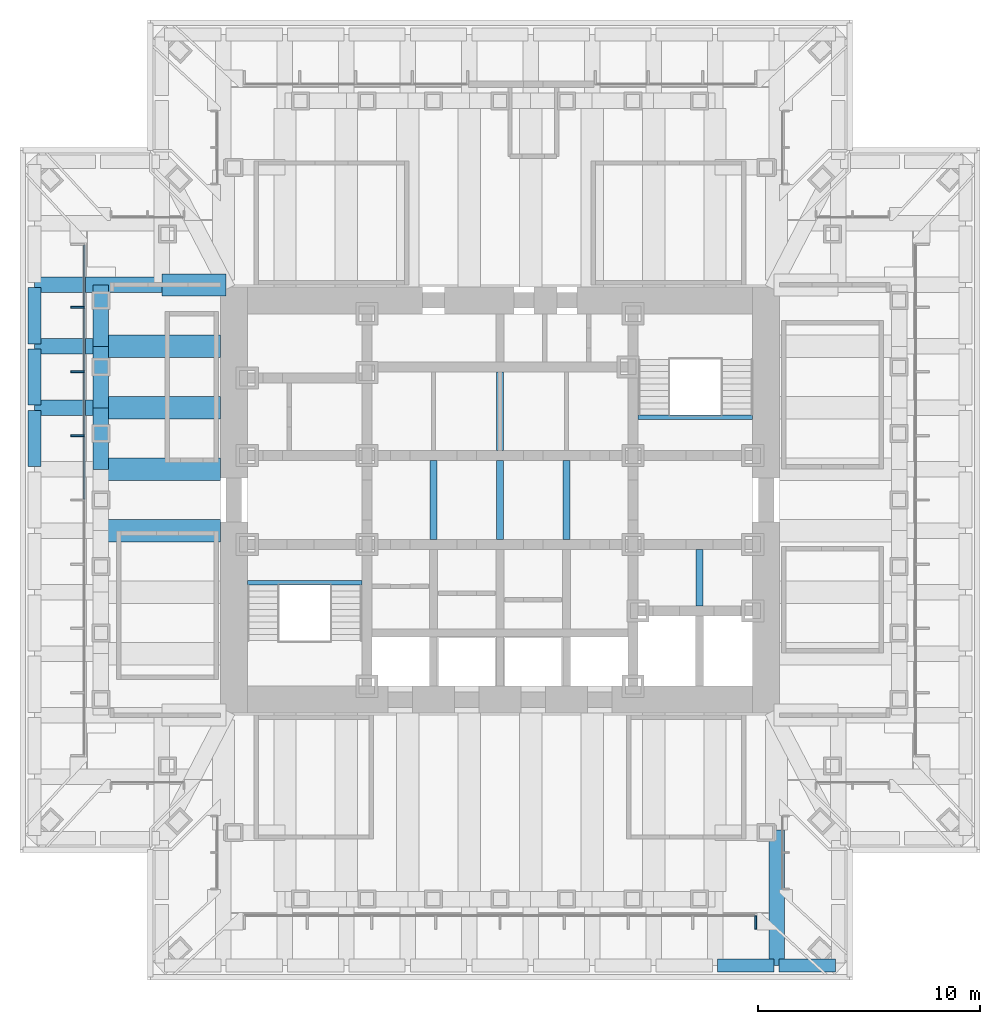
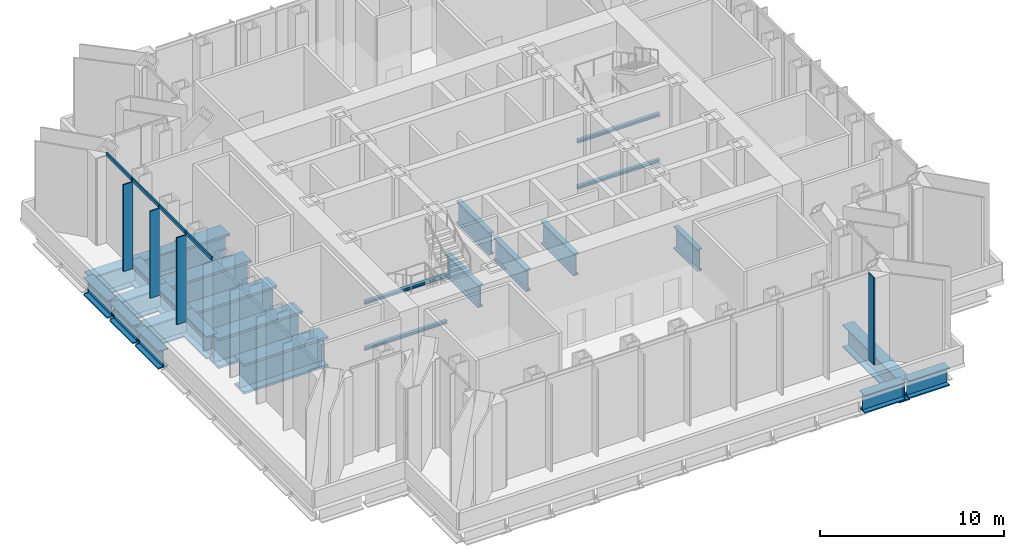
# One storey, part 3 of 13: 26 beams, 8 members, 2 elements without a shape of their own.
"""IFC4 building model written with IfcOpenShell, lengths in metres."""

from ifc_helpers import new_model, si_unit, direction, frame, origin, origin_2d, place, context, subcontext, project, spatial, rectangle, i_section, extrude, material, material_profile, profile_set, type_object, element, aggregate, save


model = new_model("IFC4")

# Units and contexts
model_context = context("Model", 3, precision=1e-05, world=origin(), true_north=direction((0.0, 1.0)))
body_context = subcontext(model_context, "Body", "Model", "MODEL_VIEW")
ifc_project = project(units=[si_unit("LENGTHUNIT", "METRE"), si_unit("AREAUNIT", "SQUARE_METRE"), si_unit("VOLUMEUNIT", "CUBIC_METRE"), si_unit("PLANEANGLEUNIT", "RADIAN"), si_unit("MASSUNIT", "GRAM", prefix="KILO")], contexts=[model_context])

# Site, building, storey
site_placement = place(None, origin())
site = spatial("IfcSite", under=ifc_project, at=site_placement, CompositionType="ELEMENT")
building_placement = place(site_placement, origin())
building = spatial("IfcBuilding", under=site, at=building_placement, Name="Daluyong Arena Tower", CompositionType="ELEMENT")
storey_placement = place(building_placement, frame((0.0, 0.0, 279.699951171875)))
storey = spatial("IfcBuildingStorey", under=building, at=storey_placement, Name="L63", CompositionType="ELEMENT", Elevation=279.699951171875)

# Curtain wall, member
ifc_material_1 = material(Name="Bronze anodised aluminium and glass", Category="aluminium")
curtain_wall_type = type_object("IfcCurtainWallType", Name="Curtain wall CW5", PredefinedType="USERDEFINED", material=ifc_material_1)
curtain_wall_1_placement = place(storey_placement, origin())
curtain_wall_1 = element("IfcCurtainWall", 1, at=curtain_wall_1_placement, inside=storey, type_object=curtain_wall_type, Name="curtain wall L63 S", ObjectType="UNITISED CURTAIN WALL", PredefinedType="USERDEFINED")
ifc_material_2 = material(Name="Bronze anodised aluminium fin", Category="aluminium")
ifc_material_profile_1 = material_profile(ifc_material_2, rectangle(XDim=0.60009765625, YDim=0.090087890625, at=origin_2d()))
ifc_profile_set_1 = profile_set([ifc_material_profile_1], Name="Bronze anodised aluminium fin")
member_type_1 = type_object("IfcMemberType", Name="CW5 bronze fin 600x90", PredefinedType="MULLION", material=ifc_profile_set_1)
member_1_placement = place(storey_placement, frame((67.54052734375, 60.949951171875, 0.0), z_axis=(0.0, 0.0, 1.0), x_axis=(0.0, 1.0, 0.0)))
member_1 = element("IfcMember", 2, at=member_1_placement, type_object=member_type_1, Name="curtain wall L63 S fin 9", PredefinedType="MULLION", context=body_context, shape_type="SweptSolid", body=[
    extrude(rectangle(XDim=0.60009765625, YDim=0.090087890625, at=origin_2d()), origin(), (0.0, 0.0, 1.0), 5.760009765625),
])
aggregate(curtain_wall_1, [member_1])

# Curtain wall, members
curtain_wall_2_placement = place(storey_placement, origin())
curtain_wall_2 = element("IfcCurtainWall", 3, at=curtain_wall_2_placement, inside=storey, type_object=curtain_wall_type, Name="curtain wall L63 W", ObjectType="UNITISED CURTAIN WALL", PredefinedType="USERDEFINED")
member_2_placement = place(storey_placement, frame((36.949951171875, 88.689208984375, 0.0), z_axis=(0.0, 0.0, 1.0), x_axis=(1.0, 0.0, 0.0)))
member_2 = element("IfcMember", 4, at=member_2_placement, type_object=member_type_1, Name="curtain wall L63 W fin 2", PredefinedType="MULLION", context=body_context, shape_type="SweptSolid", body=[
    extrude(rectangle(XDim=0.60009765625, YDim=0.090087890625, at=origin_2d()), origin(), (0.0, 0.0, 1.0), 5.760009765625),
])
member_3_placement = place(storey_placement, frame((36.949951171875, 85.792724609375, 0.0), z_axis=(0.0, 0.0, 1.0), x_axis=(1.0, 0.0, 0.0)))
member_3 = element("IfcMember", 5, at=member_3_placement, type_object=member_type_1, Name="curtain wall L63 W fin 3", PredefinedType="MULLION", context=body_context, shape_type="SweptSolid", body=[
    extrude(rectangle(XDim=0.60009765625, YDim=0.090087890625, at=origin_2d()), origin(), (0.0, 0.0, 1.0), 5.760009765625),
])
member_4_placement = place(storey_placement, frame((36.949951171875, 82.896484375, 0.0), z_axis=(0.0, 0.0, 1.0), x_axis=(1.0, 0.0, 0.0)))
member_4 = element("IfcMember", 6, at=member_4_placement, type_object=member_type_1, Name="curtain wall L63 W fin 4", PredefinedType="MULLION", context=body_context, shape_type="SweptSolid", body=[
    extrude(rectangle(XDim=0.60009765625, YDim=0.090087890625, at=origin_2d()), origin(), (0.0, 0.0, 1.0), 5.760009765625),
])
ifc_material_3 = material(Name="Bronze anodised aluminium", Category="aluminium")
ifc_material_profile_2 = material_profile(ifc_material_3, rectangle(XDim=0.090087890625, YDim=0.239990234375, at=origin_2d()))
ifc_profile_set_2 = profile_set([ifc_material_profile_2], Name="Bronze anodised aluminium")
member_type_2 = type_object("IfcMemberType", Name="CW5 stack transom 240x90", PredefinedType="USERDEFINED", material=ifc_profile_set_2)
member_5_placement = place(storey_placement, frame((37.25, 91.49560546875, 5.880126953125), z_axis=(0.0, -1.0, 0.0), x_axis=(1.0, 0.0, 0.0)))
member_5 = element("IfcMember", 7, at=member_5_placement, type_object=member_type_2, Name="curtain wall L63 W transom 1", ObjectType="TRANSOM", PredefinedType="USERDEFINED", context=body_context, shape_type="SweptSolid", body=[
    extrude(rectangle(XDim=0.090087890625, YDim=0.239990234375, at=origin_2d()), origin(), (0.0, 0.0, 1.0), 2.761474609375),
])
member_6_placement = place(storey_placement, frame((37.25, 88.64404296875, 5.880126953125), z_axis=(0.0, -1.0, 0.0), x_axis=(1.0, 0.0, 0.0)))
member_6 = element("IfcMember", 8, at=member_6_placement, type_object=member_type_2, Name="curtain wall L63 W transom 2", ObjectType="TRANSOM", PredefinedType="USERDEFINED", context=body_context, shape_type="SweptSolid", body=[
    extrude(rectangle(XDim=0.090087890625, YDim=0.239990234375, at=origin_2d()), origin(), (0.0, 0.0, 1.0), 2.806396484375),
])
member_7_placement = place(storey_placement, frame((37.25, 85.747802734375, 5.880126953125), z_axis=(0.0, -1.0, 0.0), x_axis=(1.0, 0.0, 0.0)))
member_7 = element("IfcMember", 9, at=member_7_placement, type_object=member_type_2, Name="curtain wall L63 W transom 3", ObjectType="TRANSOM", PredefinedType="USERDEFINED", context=body_context, shape_type="SweptSolid", body=[
    extrude(rectangle(XDim=0.090087890625, YDim=0.239990234375, at=origin_2d()), origin(), (0.0, 0.0, 1.0), 2.806396484375),
])
member_8_placement = place(storey_placement, frame((37.25, 82.851318359375, 5.880126953125), z_axis=(0.0, -1.0, 0.0), x_axis=(1.0, 0.0, 0.0)))
member_8 = element("IfcMember", 10, at=member_8_placement, type_object=member_type_2, Name="curtain wall L63 W transom 4", ObjectType="TRANSOM", PredefinedType="USERDEFINED", context=body_context, shape_type="SweptSolid", body=[
    extrude(rectangle(XDim=0.090087890625, YDim=0.239990234375, at=origin_2d()), origin(), (0.0, 0.0, 1.0), 2.806396484375),
])
aggregate(curtain_wall_2, [member_2, member_3, member_4, member_5, member_6, member_7, member_8])

# Beams
ifc_material_4 = material(Name="Steel ASTM A588 Grade 50", Category="steel")
ifc_material_profile_3 = material_profile(ifc_material_4, i_section(OverallWidth=1.0, OverallDepth=2.0, WebThickness=0.06, FlangeThickness=0.15, at=origin_2d()))
ifc_profile_set_3 = profile_set([ifc_material_profile_3], Name="Steel ASTM A588 Grade 50")
beam_type_1 = type_object("IfcBeamType", Name="Floor beam PG2000X1000", PredefinedType="BEAM", material=ifc_profile_set_3)
for number, where, z_axis, x_axis, name in (
    (11, (38.114990234375, 86.931884765625, -1.25), (1.0, 0.0, 0.0), (0.0, 1.0, 0.0), "floor beam FB5"),
    (12, (38.114990234375, 84.1591796875, -1.25), (1.0, 0.0, 0.0), (0.0, 1.0, 0.0), "floor beam FB5"),
    (13, (38.114990234375, 81.386474609375, -1.25), (1.0, 0.0, 0.0), (0.0, 1.0, 0.0), "floor beam FB5"),
    (14, (38.114990234375, 78.613525390625, -1.25), (1.0, 0.0, 0.0), (0.0, 1.0, 0.0), "floor beam FB5"),
):
    element("IfcBeam", number, at=place(storey_placement, frame(where, z_axis=z_axis, x_axis=x_axis)), inside=storey, type_object=beam_type_1, Name=name, PredefinedType="BEAM", context=body_context, shape_type="SweptSolid", body=[
        extrude(i_section(OverallWidth=1.0, OverallDepth=2.0, WebThickness=0.06, FlangeThickness=0.15, at=origin_2d()), origin(), (0.0, 0.0, 1.0), 5.284912109375),
    ])
beam_1_placement = place(storey_placement, frame((40.75, 89.70458984375, -1.25), z_axis=(1.0, 0.0, 0.0), x_axis=(0.0, 1.0, 0.0)))
element("IfcBeam", 15, at=beam_1_placement, inside=storey, type_object=beam_type_1, Name="floor beam FB5", PredefinedType="BEAM", context=body_context, shape_type="SweptSolid", body=[
    extrude(i_section(OverallWidth=1.0, OverallDepth=2.0, WebThickness=0.06, FlangeThickness=0.15, at=origin_2d()), origin(), (0.0, 0.0, 1.0), 2.883544921875),
])
ifc_material_5 = material(Name="Steel ASTM A572 Grade 50", Category="steel")
ifc_material_profile_4 = material_profile(ifc_material_5, i_section(OverallWidth=0.300048828125, OverallDepth=1.5, WebThickness=0.04, FlangeThickness=0.1, at=origin_2d()))
ifc_profile_set_4 = profile_set([ifc_material_profile_4], Name="Steel ASTM A572 Grade 50")
beam_type_2 = type_object("IfcBeamType", Name="Lift divider beam PG1500X300", PredefinedType="BEAM", material=ifc_profile_set_4)
for number, where, z_axis, x_axis, name in (
    (16, (53.0, 78.22509765625, -1.0), (0.0, 1.0, 0.0), (-1.0, 0.0, 0.0), "lift divider beam DB2"),
    (17, (56.0, 78.22509765625, -1.0), (0.0, 1.0, 0.0), (-1.0, 0.0, 0.0), "lift divider beam DB2"),
    (18, (56.0, 82.22509765625, -1.0), (0.0, 1.0, 0.0), (-1.0, 0.0, 0.0), "lift divider beam DB2"),
    (19, (59.0, 78.22509765625, -1.0), (0.0, 1.0, 0.0), (-1.0, 0.0, 0.0), "lift divider beam DB2"),
):
    element("IfcBeam", number, at=place(storey_placement, frame(where, z_axis=z_axis, x_axis=x_axis)), inside=storey, type_object=beam_type_2, Name=name, PredefinedType="BEAM", context=body_context, shape_type="SweptSolid", body=[
        extrude(i_section(OverallWidth=0.300048828125, OverallDepth=1.5, WebThickness=0.04, FlangeThickness=0.1, at=origin_2d()), origin(), (0.0, 0.0, 1.0), 3.5498046875),
    ])
beam_2_placement = place(storey_placement, frame((65.0, 75.22509765625, -1.0), z_axis=(0.0, 1.0, 0.0), x_axis=(-1.0, 0.0, 0.0)))
element("IfcBeam", 20, at=beam_2_placement, inside=storey, type_object=beam_type_2, Name="lift divider beam DB2", PredefinedType="BEAM", context=body_context, shape_type="SweptSolid", body=[
    extrude(i_section(OverallWidth=0.300048828125, OverallDepth=1.5, WebThickness=0.04, FlangeThickness=0.1, at=origin_2d()), origin(), (0.0, 0.0, 1.0), 2.5498046875),
])
ifc_material_6 = material(Name="Steel ASTM A572 Grade 50", Category="steel")
ifc_material_profile_5 = material_profile(ifc_material_6, i_section(OverallWidth=0.60009765625, OverallDepth=1.199951171875, WebThickness=0.03, FlangeThickness=0.08, at=origin_2d()))
ifc_profile_set_5 = profile_set([ifc_material_profile_5], Name="Steel ASTM A572 Grade 50")
beam_type_3 = type_object("IfcBeamType", Name="Spandrel Z4 PG1200X600", PredefinedType="SPANDREL", material=ifc_profile_set_5)
for number, where, z_axis, x_axis, name in (
    (21, (65.819580078125, 59.0, -0.849853515625), (1.0, 0.0, 0.0), (0.0, 1.0, 0.0), "spandrel z4 SB9"),
    (22, (68.59228515625, 59.0, -0.849853515625), (1.0, 0.0, 0.0), (0.0, 1.0, 0.0), "spandrel z4 SB9"),
    (23, (35.0, 89.589599609375, -0.849853515625), (0.0, -1.0, 0.0), (1.0, 0.0, 0.0), "spandrel z4 SB9"),
    (24, (35.0, 86.81689453125, -0.849853515625), (0.0, -1.0, 0.0), (1.0, 0.0, 0.0), "spandrel z4 SB9"),
    (25, (35.0, 84.044189453125, -0.849853515625), (0.0, -1.0, 0.0), (1.0, 0.0, 0.0), "spandrel z4 SB9"),
):
    element("IfcBeam", number, at=place(storey_placement, frame(where, z_axis=z_axis, x_axis=x_axis)), inside=storey, type_object=beam_type_3, Name=name, PredefinedType="SPANDREL", context=body_context, shape_type="SweptSolid", body=[
        extrude(i_section(OverallWidth=0.60009765625, OverallDepth=1.199951171875, WebThickness=0.03, FlangeThickness=0.08, at=origin_2d()), origin(), (0.0, 0.0, 1.0), 2.542724609375),
    ])
ifc_material_7 = material(Name="Steel ASTM A992 Grade 50", Category="steel")
ifc_material_profile_6 = material_profile(ifc_material_7, i_section(OverallWidth=0.203125, OverallDepth=0.203125, WebThickness=0.00732421875, FlangeThickness=0.010986328125, at=origin_2d()))
ifc_profile_set_6 = profile_set([ifc_material_profile_6], Name="Steel ASTM A992 Grade 50")
beam_type_4 = type_object("IfcBeamType", Name="Stair landing beam W8X31", PredefinedType="BEAM", material=ifc_profile_set_6)
for number, where, z_axis, x_axis, name in (
    (26, (44.60009765625, 76.276611328125, -0.3515625), (1.0, 0.0, 0.0), (0.0, 1.0, 0.0), "exit stair A landing beam"),
    (27, (44.60009765625, 76.276611328125, 2.698486328125), (1.0, 0.0, 0.0), (0.0, 1.0, 0.0), "exit stair A landing beam"),
    (28, (62.22509765625, 83.723388671875, -0.3515625), (1.0, 0.0, 0.0), (0.0, 1.0, 0.0), "exit stair B landing beam"),
    (29, (62.22509765625, 83.723388671875, 2.698486328125), (1.0, 0.0, 0.0), (0.0, 1.0, 0.0), "exit stair B landing beam"),
):
    element("IfcBeam", number, at=place(storey_placement, frame(where, z_axis=z_axis, x_axis=x_axis)), inside=storey, type_object=beam_type_4, Name=name, PredefinedType="BEAM", context=body_context, shape_type="SweptSolid", body=[
        extrude(i_section(OverallWidth=0.203125, OverallDepth=0.203125, WebThickness=0.00732421875, FlangeThickness=0.010986328125, at=origin_2d()), origin(), (0.0, 0.0, 1.0), 5.1748046875),
    ])
ifc_material_8 = material(Name="Steel ASTM A572 Grade 50", Category="steel")
ifc_material_profile_7 = material_profile(ifc_material_8, i_section(OverallWidth=0.699951171875, OverallDepth=1.5, WebThickness=0.04, FlangeThickness=0.08, at=origin_2d()))
ifc_profile_set_7 = profile_set([ifc_material_profile_7], Name="Steel ASTM A572 Grade 50")
beam_type_5 = type_object("IfcBeamType", Name="Transfer beam PG1500X700", PredefinedType="BEAM", material=ifc_profile_set_7)
for number, where, z_axis, x_axis, name in (
    (30, (38.0, 81.386474609375, -1.0), (0.0, 1.0, 0.0), (-1.0, 0.0, 0.0), "transfer beam TR6"),
    (31, (38.0, 84.1591796875, -1.0), (0.0, 1.0, 0.0), (-1.0, 0.0, 0.0), "transfer beam TR6"),
    (32, (38.0, 86.931884765625, -1.0), (0.0, 1.0, 0.0), (-1.0, 0.0, 0.0), "transfer beam TR6"),
):
    element("IfcBeam", number, at=place(storey_placement, frame(where, z_axis=z_axis, x_axis=x_axis)), inside=storey, type_object=beam_type_5, Name=name, PredefinedType="BEAM", context=body_context, shape_type="SweptSolid", body=[
        extrude(i_section(OverallWidth=0.699951171875, OverallDepth=1.5, WebThickness=0.04, FlangeThickness=0.08, at=origin_2d()), origin(), (0.0, 0.0, 1.0), 2.772705078125),
    ])
beam_3_placement = place(storey_placement, frame((35.0, 89.70458984375, -1.0), z_axis=(1.0, 0.0, 0.0), x_axis=(0.0, 1.0, 0.0)))
element("IfcBeam", 33, at=beam_3_placement, inside=storey, type_object=beam_type_5, Name="transfer beam TR6", PredefinedType="BEAM", context=body_context, shape_type="SweptSolid", body=[
    extrude(i_section(OverallWidth=0.699951171875, OverallDepth=1.5, WebThickness=0.04, FlangeThickness=0.08, at=origin_2d()), origin(), (0.0, 0.0, 1.0), 5.75),
])
beam_4_placement = place(storey_placement, frame((68.477294921875, 59.0, -1.0), z_axis=(0.0, 1.0, 0.0), x_axis=(-1.0, 0.0, 0.0)))
element("IfcBeam", 34, at=beam_4_placement, inside=storey, type_object=beam_type_5, Name="transfer beam TR6", PredefinedType="BEAM", context=body_context, shape_type="SweptSolid", body=[
    extrude(i_section(OverallWidth=0.699951171875, OverallDepth=1.5, WebThickness=0.04, FlangeThickness=0.08, at=origin_2d()), origin(), (0.0, 0.0, 1.0), 6.114990234375),
])
for number, where, z_axis, x_axis, name in (
    (35, (35.0, 86.931884765625, -1.0), (1.0, 0.0, 0.0), (0.0, 1.0, 0.0), "transfer beam TR6"),
    (36, (35.0, 84.1591796875, -1.0), (1.0, 0.0, 0.0), (0.0, 1.0, 0.0), "transfer beam TR6"),
):
    element("IfcBeam", number, at=place(storey_placement, frame(where, z_axis=z_axis, x_axis=x_axis)), inside=storey, type_object=beam_type_5, Name=name, PredefinedType="BEAM", context=body_context, shape_type="SweptSolid", body=[
        extrude(i_section(OverallWidth=0.699951171875, OverallDepth=1.5, WebThickness=0.04, FlangeThickness=0.08, at=origin_2d()), origin(), (0.0, 0.0, 1.0), 3.114990234375),
    ])

save(model, "model.ifc")
